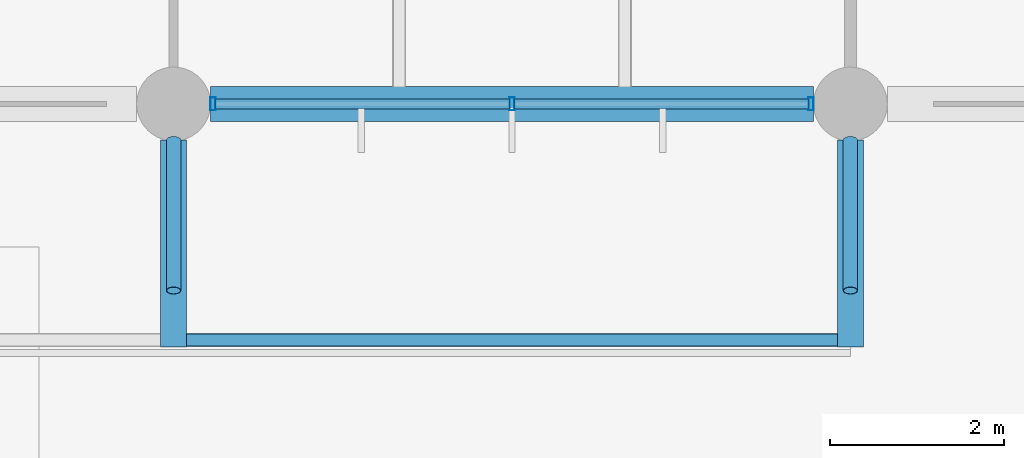
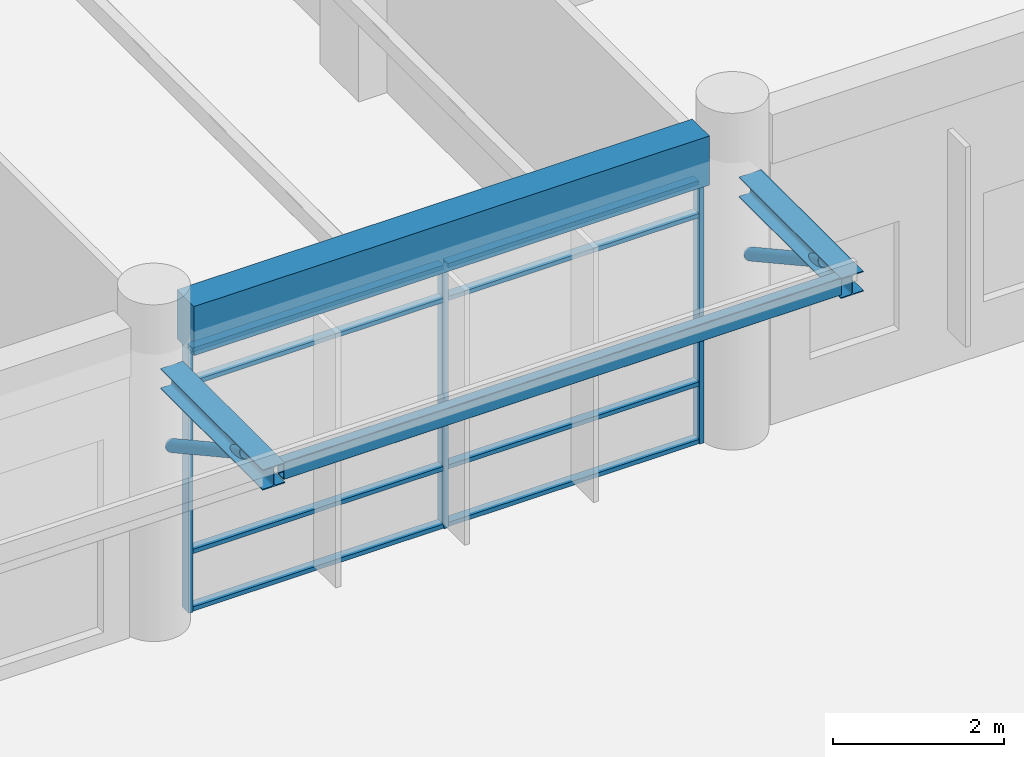
# One storey, part 17 of 74: 13 members, 4 beams, 1 element without a shape of its own.
"""IFC4 building model written with IfcOpenShell, lengths in metres."""

from ifc_helpers import new_model, si_unit, direction, frame, origin, origin_2d, place, context, subcontext, project, spatial, rectangle, hollow_rectangle, hollow_circle, i_section, extrude, material, material_profile, profile_set, type_object, element, aggregate, save


model = new_model("IFC4")

# Units and contexts
model_context = context("Model", 3, precision=1e-05, world=origin(), true_north=direction((0.0, 1.0)))
body_context = subcontext(model_context, "Body", "Model", "MODEL_VIEW")
ifc_project = project(units=[si_unit("LENGTHUNIT", "METRE"), si_unit("AREAUNIT", "SQUARE_METRE"), si_unit("VOLUMEUNIT", "CUBIC_METRE"), si_unit("PLANEANGLEUNIT", "RADIAN"), si_unit("MASSUNIT", "GRAM", prefix="KILO"), si_unit("THERMODYNAMICTEMPERATUREUNIT", "KELVIN"), si_unit("POWERUNIT", "WATT")], contexts=[model_context])

# Site, building, storey
site_placement = place(None, origin())
site = spatial("IfcSite", under=ifc_project, at=site_placement, CompositionType="ELEMENT")
building_placement = place(site_placement, origin())
building = spatial("IfcBuilding", under=site, at=building_placement, Name="Srebrne Nadtorze General Hospital", CompositionType="ELEMENT")
storey_placement = place(building_placement, origin())
storey = spatial("IfcBuildingStorey", under=building, at=storey_placement, Name="L00", CompositionType="ELEMENT", Elevation=0.0)

# Members
ifc_material_1 = material(Name="Steel S355J2", Category="steel")
ifc_material_profile_1 = material_profile(ifc_material_1, hollow_circle(Radius=0.084228515625, WallThickness=0.00634765625, at=origin_2d()), Name="CHS-168.3x6.3")
ifc_profile_set_1 = profile_set([ifc_material_profile_1], Name="Steel S355J2")
member_type_1 = type_object("IfcMemberType", Name="Canopy strut CHS 168.3x6.3", PredefinedType="STRUT", material=ifc_profile_set_1)
for number, where, z_axis, x_axis, name in (
    (1, (93.60009765625, -0.4150390625, 2.75), (0.0, -0.876023229462, 0.482268909887), (1.0, 0.0, 0.0), "South entrance canopy strut 6"),
    (2, (101.39990234375, -0.4150390625, 2.75), (0.0, -0.876023229462, 0.482268909887), (1.0, 0.0, 0.0), "South entrance canopy strut 7"),
):
    element("IfcMember", number, at=place(storey_placement, frame(where, z_axis=z_axis, x_axis=x_axis)), inside=storey, type_object=member_type_1, Name=name, PredefinedType="STRUT", context=body_context, shape_type="SweptSolid", body=[
        extrude(hollow_circle(Radius=0.084228515625, WallThickness=0.00634765625, at=origin_2d()), origin(), (0.0, 0.0, 1.0), 1.98046875),
    ])

# Curtain wall, members
ifc_material_2 = material(Name="Anodised Aluminium", Category="aluminium")
curtain_wall_type = type_object("IfcCurtainWallType", Name="Unitised curtain wall 6950x3750", PredefinedType="NOTDEFINED", material=ifc_material_2)
curtain_wall_placement = place(storey_placement, origin())
curtain_wall = element("IfcCurtainWall", 3, at=curtain_wall_placement, inside=storey, type_object=curtain_wall_type, Name="Curtain wall CW-002", PredefinedType="NOTDEFINED")
ifc_material_3 = material(Name="Anodised Aluminium", Category="aluminium")
ifc_material_profile_2 = material_profile(ifc_material_3, hollow_rectangle(XDim=0.06005859375, YDim=0.14990234375, WallThickness=0.00390625, at=origin_2d()), Name="AL-MUL-60x150")
ifc_profile_set_2 = profile_set([ifc_material_profile_2], Name="Anodised Aluminium")
member_type_2 = type_object("IfcMemberType", Name="Curtain mullion 60x150", PredefinedType="MULLION", material=ifc_profile_set_2)
member_1_placement = place(storey_placement, frame((94.054931640625, 0.0, 0.0), z_axis=(0.0, 0.0, 1.0), x_axis=(1.0, 0.0, 0.0)))
member_1 = element("IfcMember", 4, at=member_1_placement, type_object=member_type_2, Name="CW-002 mullion 1", PredefinedType="MULLION", context=body_context, shape_type="SweptSolid", body=[
    extrude(hollow_rectangle(XDim=0.06005859375, YDim=0.14990234375, WallThickness=0.00390625, at=origin_2d()), origin(), (0.0, 0.0, 1.0), 3.75),
])
member_2_placement = place(storey_placement, frame((97.5, 0.0, 0.0), z_axis=(0.0, 0.0, 1.0), x_axis=(1.0, 0.0, 0.0)))
member_2 = element("IfcMember", 5, at=member_2_placement, type_object=member_type_2, Name="CW-002 mullion 2", PredefinedType="MULLION", context=body_context, shape_type="SweptSolid", body=[
    extrude(hollow_rectangle(XDim=0.06005859375, YDim=0.14990234375, WallThickness=0.00390625, at=origin_2d()), origin(), (0.0, 0.0, 1.0), 3.75),
])
member_3_placement = place(storey_placement, frame((100.945068359375, 0.0, 0.0), z_axis=(0.0, 0.0, 1.0), x_axis=(1.0, 0.0, 0.0)))
member_3 = element("IfcMember", 6, at=member_3_placement, type_object=member_type_2, Name="CW-002 mullion 3", PredefinedType="MULLION", context=body_context, shape_type="SweptSolid", body=[
    extrude(hollow_rectangle(XDim=0.06005859375, YDim=0.14990234375, WallThickness=0.00390625, at=origin_2d()), origin(), (0.0, 0.0, 1.0), 3.75),
])
ifc_material_4 = material(Name="Anodised Aluminium", Category="aluminium")
ifc_material_profile_3 = material_profile(ifc_material_4, hollow_rectangle(XDim=0.06005859375, YDim=0.1201171875, WallThickness=0.00390625, at=origin_2d()), Name="AL-TRN-60x120")
ifc_profile_set_3 = profile_set([ifc_material_profile_3], Name="Anodised Aluminium")
member_type_3 = type_object("IfcMemberType", Name="Curtain transom 60x120", PredefinedType="USERDEFINED", material=ifc_profile_set_3)
member_4_placement = place(storey_placement, frame((94.0849609375, 0.0, 0.030029296875), z_axis=(1.0, 0.0, 0.0), x_axis=(0.0, 0.0, 1.0)))
member_4 = element("IfcMember", 7, at=member_4_placement, type_object=member_type_3, Name="CW-002 transom 1.1", ObjectType="TRANSOM", PredefinedType="USERDEFINED", context=body_context, shape_type="SweptSolid", body=[
    extrude(hollow_rectangle(XDim=0.06005859375, YDim=0.1201171875, WallThickness=0.00390625, at=origin_2d()), origin(), (0.0, 0.0, 1.0), 3.385009765625),
])
member_5_placement = place(storey_placement, frame((94.0849609375, 0.0, 0.85009765625), z_axis=(1.0, 0.0, 0.0), x_axis=(0.0, 0.0, 1.0)))
member_5 = element("IfcMember", 8, at=member_5_placement, type_object=member_type_3, Name="CW-002 transom 1.2", ObjectType="TRANSOM", PredefinedType="USERDEFINED", context=body_context, shape_type="SweptSolid", body=[
    extrude(hollow_rectangle(XDim=0.06005859375, YDim=0.1201171875, WallThickness=0.00390625, at=origin_2d()), origin(), (0.0, 0.0, 1.0), 3.385009765625),
])
member_6_placement = place(storey_placement, frame((94.0849609375, 0.0, 3.25), z_axis=(1.0, 0.0, 0.0), x_axis=(0.0, 0.0, 1.0)))
member_6 = element("IfcMember", 9, at=member_6_placement, type_object=member_type_3, Name="CW-002 transom 1.3", ObjectType="TRANSOM", PredefinedType="USERDEFINED", context=body_context, shape_type="SweptSolid", body=[
    extrude(hollow_rectangle(XDim=0.06005859375, YDim=0.1201171875, WallThickness=0.00390625, at=origin_2d()), origin(), (0.0, 0.0, 1.0), 3.385009765625),
])
member_7_placement = place(storey_placement, frame((94.0849609375, 0.0, 3.719970703125), z_axis=(1.0, 0.0, 0.0), x_axis=(0.0, 0.0, 1.0)))
member_7 = element("IfcMember", 10, at=member_7_placement, type_object=member_type_3, Name="CW-002 transom 1.4", ObjectType="TRANSOM", PredefinedType="USERDEFINED", context=body_context, shape_type="SweptSolid", body=[
    extrude(hollow_rectangle(XDim=0.06005859375, YDim=0.1201171875, WallThickness=0.00390625, at=origin_2d()), origin(), (0.0, 0.0, 1.0), 3.385009765625),
])
member_8_placement = place(storey_placement, frame((97.530029296875, 0.0, 0.030029296875), z_axis=(1.0, 0.0, 0.0), x_axis=(0.0, 0.0, 1.0)))
member_8 = element("IfcMember", 11, at=member_8_placement, type_object=member_type_3, Name="CW-002 transom 2.1", ObjectType="TRANSOM", PredefinedType="USERDEFINED", context=body_context, shape_type="SweptSolid", body=[
    extrude(hollow_rectangle(XDim=0.06005859375, YDim=0.1201171875, WallThickness=0.00390625, at=origin_2d()), origin(), (0.0, 0.0, 1.0), 3.385009765625),
])
member_9_placement = place(storey_placement, frame((97.530029296875, 0.0, 0.85009765625), z_axis=(1.0, 0.0, 0.0), x_axis=(0.0, 0.0, 1.0)))
member_9 = element("IfcMember", 12, at=member_9_placement, type_object=member_type_3, Name="CW-002 transom 2.2", ObjectType="TRANSOM", PredefinedType="USERDEFINED", context=body_context, shape_type="SweptSolid", body=[
    extrude(hollow_rectangle(XDim=0.06005859375, YDim=0.1201171875, WallThickness=0.00390625, at=origin_2d()), origin(), (0.0, 0.0, 1.0), 3.385009765625),
])
member_10_placement = place(storey_placement, frame((97.530029296875, 0.0, 3.25), z_axis=(1.0, 0.0, 0.0), x_axis=(0.0, 0.0, 1.0)))
member_10 = element("IfcMember", 13, at=member_10_placement, type_object=member_type_3, Name="CW-002 transom 2.3", ObjectType="TRANSOM", PredefinedType="USERDEFINED", context=body_context, shape_type="SweptSolid", body=[
    extrude(hollow_rectangle(XDim=0.06005859375, YDim=0.1201171875, WallThickness=0.00390625, at=origin_2d()), origin(), (0.0, 0.0, 1.0), 3.385009765625),
])
member_11_placement = place(storey_placement, frame((97.530029296875, 0.0, 3.719970703125), z_axis=(1.0, 0.0, 0.0), x_axis=(0.0, 0.0, 1.0)))
member_11 = element("IfcMember", 14, at=member_11_placement, type_object=member_type_3, Name="CW-002 transom 2.4", ObjectType="TRANSOM", PredefinedType="USERDEFINED", context=body_context, shape_type="SweptSolid", body=[
    extrude(hollow_rectangle(XDim=0.06005859375, YDim=0.1201171875, WallThickness=0.00390625, at=origin_2d()), origin(), (0.0, 0.0, 1.0), 3.385009765625),
])
aggregate(curtain_wall, [member_1, member_2, member_3, member_4, member_5, member_6, member_7, member_8, member_9, member_10, member_11])

# Beams
ifc_material_5 = material(Name="Concrete C40/50", Category="concrete")
ifc_material_profile_4 = material_profile(ifc_material_5, rectangle(XDim=0.39990234375, YDim=0.699951171875, at=origin_2d()), Name="RC-BM-400x700")
ifc_profile_set_4 = profile_set([ifc_material_profile_4], Name="Concrete C40/50")
beam_type_1 = type_object("IfcBeamType", Name="Edge beam RC 400x700", PredefinedType="BEAM", material=ifc_profile_set_4)
beam_1_placement = place(storey_placement, frame((94.02490234375, 0.0, 4.10009765625), z_axis=(1.0, 0.0, 0.0), x_axis=(0.0, 1.0, 0.0)))
element("IfcBeam", 15, at=beam_1_placement, inside=storey, type_object=beam_type_1, Name="Beam BM-L00-X-0190", PredefinedType="BEAM", context=body_context, shape_type="SweptSolid", body=[
    extrude(rectangle(XDim=0.39990234375, YDim=0.699951171875, at=origin_2d()), origin(), (0.0, 0.0, 1.0), 6.9501953125),
])
ifc_material_6 = material(Name="Steel S355J2", Category="steel")
ifc_material_profile_5 = material_profile(ifc_material_6, hollow_rectangle(XDim=0.14990234375, YDim=0.25, WallThickness=0.010009765625, InnerFilletRadius=0.010009765625, OuterFilletRadius=0.014892578125, at=origin_2d()), Name="RHS-250x150x10")
ifc_profile_set_5 = profile_set([ifc_material_profile_5], Name="Steel S355J2")
beam_type_2 = type_object("IfcBeamType", Name="Hollow canopy beam RHS 250x150x10", PredefinedType="HOLLOWCORE", material=ifc_profile_set_5)
beam_2_placement = place(storey_placement, frame((93.739990234375, -2.719970703125, 3.77490234375), z_axis=(1.0, 0.0, 0.0), x_axis=(0.0, 1.0, 0.0)))
element("IfcBeam", 16, at=beam_2_placement, inside=storey, type_object=beam_type_2, Name="South entrance canopy fascia beam 6", PredefinedType="HOLLOWCORE", context=body_context, shape_type="SweptSolid", body=[
    extrude(hollow_rectangle(XDim=0.14990234375, YDim=0.25, WallThickness=0.010009765625, InnerFilletRadius=0.010009765625, OuterFilletRadius=0.014892578125, at=origin_2d()), origin(), (0.0, 0.0, 1.0), 7.52001953125),
])
ifc_material_7 = material(Name="Steel S355J2", Category="steel")
ifc_material_profile_6 = material_profile(ifc_material_7, i_section(OverallWidth=0.300048828125, OverallDepth=0.2900390625, WebThickness=0.008544921875, FlangeThickness=0.013916015625, FilletRadius=0.027099609375, at=origin_2d()), Name="HEA-300")
ifc_profile_set_6 = profile_set([ifc_material_profile_6], Name="Steel S355J2")
beam_type_3 = type_object("IfcBeamType", Name="Primary beam HEA 300", PredefinedType="BEAM", material=ifc_profile_set_6)
for number, where, z_axis, x_axis, name in (
    (17, (93.60009765625, -0.4150390625, 3.7548828125), (0.0, -1.0, 0.0), (1.0, 0.0, 0.0), "South entrance canopy girder 6"),
    (18, (101.39990234375, -0.4150390625, 3.7548828125), (0.0, -1.0, 0.0), (1.0, 0.0, 0.0), "South entrance canopy girder 7"),
):
    element("IfcBeam", number, at=place(storey_placement, frame(where, z_axis=z_axis, x_axis=x_axis)), inside=storey, type_object=beam_type_3, Name=name, PredefinedType="BEAM", context=body_context, shape_type="SweptSolid", body=[
        extrude(i_section(OverallWidth=0.300048828125, OverallDepth=0.2900390625, WebThickness=0.008544921875, FlangeThickness=0.013916015625, FilletRadius=0.027099609375, at=origin_2d()), origin(), (0.0, 0.0, 1.0), 2.385009765625),
    ])

save(model, "model.ifc")
